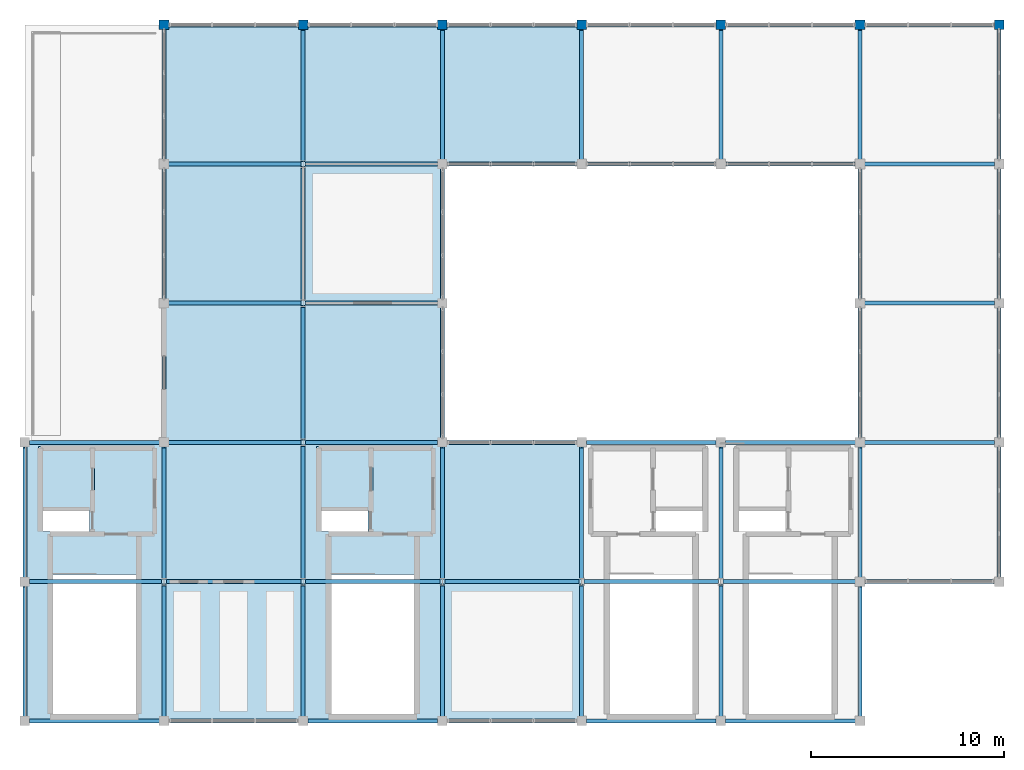
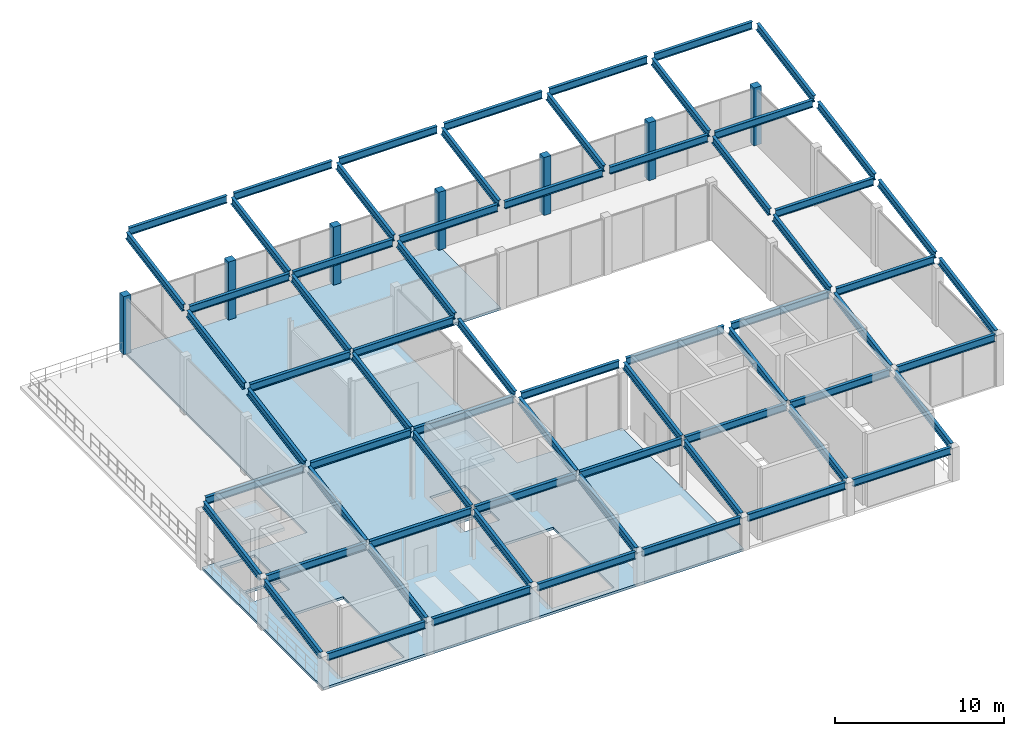
# One storey, part 3 of 16: 67 beams, 7 columns, 3 slabs.
"""IFC4 building model written with IfcOpenShell, lengths in metres."""

from ifc_helpers import new_model, si_unit, direction, frame, origin, origin_2d, place, context, subcontext, project, spatial, polyline, rectangle, i_section, outline, extrude, material, layer, layer_set, material_profile, profile_set, type_object, element, save


model = new_model("IFC4")

# Units and contexts
model_context = context("Model", 3, precision=1e-05, world=origin(), true_north=direction((0.0, 1.0)))
body_context = subcontext(model_context, "Body", "Model", "MODEL_VIEW")
ifc_project = project(units=[si_unit("LENGTHUNIT", "METRE"), si_unit("AREAUNIT", "SQUARE_METRE"), si_unit("VOLUMEUNIT", "CUBIC_METRE"), si_unit("PLANEANGLEUNIT", "RADIAN"), si_unit("MASSUNIT", "GRAM", prefix="KILO")], contexts=[model_context])

# Site, building, storey
site_placement = place(None, origin())
site = spatial("IfcSite", under=ifc_project, at=site_placement, CompositionType="ELEMENT")
building_placement = place(site_placement, origin())
building = spatial("IfcBuilding", under=site, at=building_placement, Name="Sillqori Civic Hall", CompositionType="ELEMENT")
storey_placement = place(building_placement, frame((0.0, 0.0, 25.800048828125)))
storey = spatial("IfcBuildingStorey", under=building, at=storey_placement, Name="L07", CompositionType="ELEMENT", Elevation=25.800048828125)

# Columns
ifc_material_1 = material(Name="Concrete C35/45 (H35)", Category="concrete")
ifc_material_profile_1 = material_profile(ifc_material_1, rectangle(XDim=0.5, YDim=0.5, at=origin_2d()), Name="RC 500x500")
ifc_profile_set_1 = profile_set([ifc_material_profile_1], Name="Concrete C35/45 (H35)")
column_type = type_object("IfcColumnType", Name="COL-RC500", PredefinedType="COLUMN", material=ifc_profile_set_1)
for number, where, z_axis, x_axis, name in (
    (1, (57.60009765625, 115.199951171875, 0.0), (0.0, 0.0, 1.0), (1.0, 0.0, 0.0), "L07 column 8-16"),
    (2, (64.800048828125, 115.199951171875, 0.0), (0.0, 0.0, 1.0), (1.0, 0.0, 0.0), "L07 column 9-16"),
    (3, (72.0, 115.199951171875, 0.0), (0.0, 0.0, 1.0), (1.0, 0.0, 0.0), "L07 column 10-16"),
    (4, (79.199951171875, 115.199951171875, 0.0), (0.0, 0.0, 1.0), (1.0, 0.0, 0.0), "L07 column 11-16"),
    (5, (86.39990234375, 115.199951171875, 0.0), (0.0, 0.0, 1.0), (1.0, 0.0, 0.0), "L07 column 12-16"),
    (6, (93.60009765625, 115.199951171875, 0.0), (0.0, 0.0, 1.0), (1.0, 0.0, 0.0), "L07 column 13-16"),
    (7, (100.800048828125, 115.199951171875, 0.0), (0.0, 0.0, 1.0), (1.0, 0.0, 0.0), "L07 column 14-16"),
):
    element("IfcColumn", number, at=place(storey_placement, frame(where, z_axis=z_axis, x_axis=x_axis)), inside=storey, type_object=column_type, Name=name, PredefinedType="COLUMN", context=body_context, shape_type="SweptSolid", body=[
        extrude(rectangle(XDim=0.5, YDim=0.5, at=origin_2d()), origin(), (0.0, 0.0, 1.0), 4.199951171875),
    ])

# Beams
ifc_material_2 = material(Name="Steel ASTM A992", Category="steel")
ifc_material_profile_2 = material_profile(ifc_material_2, i_section(OverallWidth=0.2099609375, OverallDepth=0.532958984375, WebThickness=0.01025390625, FlangeThickness=0.015625, FilletRadius=0.013916015625, at=origin_2d()), Name="W21X62")
ifc_profile_set_2 = profile_set([ifc_material_profile_2], Name="Steel ASTM A992")
beam_type = type_object("IfcBeamType", Name="BM-W21X62", PredefinedType="BEAM", material=ifc_profile_set_2)
beam_1_placement = place(storey_placement, frame((50.64404296875, 79.199951171875, 2.17431640625), z_axis=(1.0, 0.0, 0.0), x_axis=(0.0, 1.0, 0.0)))
element("IfcBeam", 8, at=beam_1_placement, inside=storey, type_object=beam_type, Name="L07 observatory roof girder X 7-11", PredefinedType="BEAM", context=body_context, shape_type="SweptSolid", body=[
    extrude(i_section(OverallWidth=0.2099609375, OverallDepth=0.532958984375, WebThickness=0.01025390625, FlangeThickness=0.015625, FilletRadius=0.013916015625, at=origin_2d()), origin(), (0.0, 0.0, 1.0), 6.7119140625),
])
beam_2_placement = place(storey_placement, frame((50.64404296875, 86.39990234375, 3.47021484375), z_axis=(1.0, 0.0, 0.0), x_axis=(0.0, 1.0, 0.0)))
element("IfcBeam", 9, at=beam_2_placement, inside=storey, type_object=beam_type, Name="L07 observatory roof girder X 7-12", PredefinedType="BEAM", context=body_context, shape_type="SweptSolid", body=[
    extrude(i_section(OverallWidth=0.2099609375, OverallDepth=0.532958984375, WebThickness=0.01025390625, FlangeThickness=0.015625, FilletRadius=0.013916015625, at=origin_2d()), origin(), (0.0, 0.0, 1.0), 6.83349609375),
])
for number, where, z_axis, x_axis, name in (
    (10, (50.64404296875, 93.60009765625, 4.766357421875), (1.0, 0.0, 0.0), (0.0, 1.0, 0.0), "L07 observatory roof girder X 7-13"),
    (11, (57.843994140625, 79.199951171875, 2.17431640625), (1.0, 0.0, 0.0), (0.0, 1.0, 0.0), "L07 observatory roof girder X 8-11"),
):
    element("IfcBeam", number, at=place(storey_placement, frame(where, z_axis=z_axis, x_axis=x_axis)), inside=storey, type_object=beam_type, Name=name, PredefinedType="BEAM", context=body_context, shape_type="SweptSolid", body=[
        extrude(i_section(OverallWidth=0.2099609375, OverallDepth=0.532958984375, WebThickness=0.01025390625, FlangeThickness=0.015625, FilletRadius=0.013916015625, at=origin_2d()), origin(), (0.0, 0.0, 1.0), 6.7119140625),
    ])
beam_3_placement = place(storey_placement, frame((57.722412109375, 86.39990234375, 3.47021484375), z_axis=(1.0, 0.0, 0.0), x_axis=(0.0, 1.0, 0.0)))
element("IfcBeam", 12, at=beam_3_placement, inside=storey, type_object=beam_type, Name="L07 observatory roof girder X 8-12", PredefinedType="BEAM", context=body_context, shape_type="SweptSolid", body=[
    extrude(i_section(OverallWidth=0.2099609375, OverallDepth=0.532958984375, WebThickness=0.01025390625, FlangeThickness=0.015625, FilletRadius=0.013916015625, at=origin_2d()), origin(), (0.0, 0.0, 1.0), 6.955078125),
])
for number, where, z_axis, x_axis, name in (
    (13, (57.843994140625, 93.60009765625, 4.766357421875), (1.0, 0.0, 0.0), (0.0, 1.0, 0.0), "L07 observatory roof girder X 8-13"),
    (14, (57.843994140625, 100.800048828125, 6.062255859375), (1.0, 0.0, 0.0), (0.0, 1.0, 0.0), "L07 observatory roof girder X 8-14"),
    (15, (57.843994140625, 108.0, 7.358154296875), (1.0, 0.0, 0.0), (0.0, 1.0, 0.0), "L07 observatory roof girder X 8-15"),
):
    element("IfcBeam", number, at=place(storey_placement, frame(where, z_axis=z_axis, x_axis=x_axis)), inside=storey, type_object=beam_type, Name=name, PredefinedType="BEAM", context=body_context, shape_type="SweptSolid", body=[
        extrude(i_section(OverallWidth=0.2099609375, OverallDepth=0.532958984375, WebThickness=0.01025390625, FlangeThickness=0.015625, FilletRadius=0.013916015625, at=origin_2d()), origin(), (0.0, 0.0, 1.0), 6.83349609375),
    ])
beam_4_placement = place(storey_placement, frame((57.843994140625, 115.199951171875, 8.654296875), z_axis=(1.0, 0.0, 0.0), x_axis=(0.0, 1.0, 0.0)))
element("IfcBeam", 16, at=beam_4_placement, inside=storey, type_object=beam_type, Name="L07 observatory roof girder X 8-16", PredefinedType="BEAM", context=body_context, shape_type="SweptSolid", body=[
    extrude(i_section(OverallWidth=0.2099609375, OverallDepth=0.532958984375, WebThickness=0.01025390625, FlangeThickness=0.015625, FilletRadius=0.013916015625, at=origin_2d()), origin(), (0.0, 0.0, 1.0), 6.7119140625),
])
beam_5_placement = place(storey_placement, frame((65.0439453125, 79.199951171875, 2.17431640625), z_axis=(1.0, 0.0, 0.0), x_axis=(0.0, 1.0, 0.0)))
element("IfcBeam", 17, at=beam_5_placement, inside=storey, type_object=beam_type, Name="L07 observatory roof girder X 9-11", PredefinedType="BEAM", context=body_context, shape_type="SweptSolid", body=[
    extrude(i_section(OverallWidth=0.2099609375, OverallDepth=0.532958984375, WebThickness=0.01025390625, FlangeThickness=0.015625, FilletRadius=0.013916015625, at=origin_2d()), origin(), (0.0, 0.0, 1.0), 6.712158203125),
])
beam_6_placement = place(storey_placement, frame((64.922607421875, 86.39990234375, 3.47021484375), z_axis=(1.0, 0.0, 0.0), x_axis=(0.0, 1.0, 0.0)))
element("IfcBeam", 18, at=beam_6_placement, inside=storey, type_object=beam_type, Name="L07 observatory roof girder X 9-12", PredefinedType="BEAM", context=body_context, shape_type="SweptSolid", body=[
    extrude(i_section(OverallWidth=0.2099609375, OverallDepth=0.532958984375, WebThickness=0.01025390625, FlangeThickness=0.015625, FilletRadius=0.013916015625, at=origin_2d()), origin(), (0.0, 0.0, 1.0), 6.954833984375),
])
for number, where, z_axis, x_axis, name in (
    (19, (64.922607421875, 93.60009765625, 4.766357421875), (1.0, 0.0, 0.0), (0.0, 1.0, 0.0), "L07 observatory roof girder X 9-13"),
    (20, (64.922607421875, 100.800048828125, 6.062255859375), (1.0, 0.0, 0.0), (0.0, 1.0, 0.0), "L07 observatory roof girder X 9-14"),
    (21, (64.922607421875, 108.0, 7.358154296875), (1.0, 0.0, 0.0), (0.0, 1.0, 0.0), "L07 observatory roof girder X 9-15"),
):
    element("IfcBeam", number, at=place(storey_placement, frame(where, z_axis=z_axis, x_axis=x_axis)), inside=storey, type_object=beam_type, Name=name, PredefinedType="BEAM", context=body_context, shape_type="SweptSolid", body=[
        extrude(i_section(OverallWidth=0.2099609375, OverallDepth=0.532958984375, WebThickness=0.01025390625, FlangeThickness=0.015625, FilletRadius=0.013916015625, at=origin_2d()), origin(), (0.0, 0.0, 1.0), 6.83349609375),
    ])
for number, where, z_axis, x_axis, name in (
    (22, (65.0439453125, 115.199951171875, 8.654296875), (1.0, 0.0, 0.0), (0.0, 1.0, 0.0), "L07 observatory roof girder X 9-16"),
    (23, (72.243896484375, 79.199951171875, 2.17431640625), (1.0, 0.0, 0.0), (0.0, 1.0, 0.0), "L07 observatory roof girder X 10-11"),
):
    element("IfcBeam", number, at=place(storey_placement, frame(where, z_axis=z_axis, x_axis=x_axis)), inside=storey, type_object=beam_type, Name=name, PredefinedType="BEAM", context=body_context, shape_type="SweptSolid", body=[
        extrude(i_section(OverallWidth=0.2099609375, OverallDepth=0.532958984375, WebThickness=0.01025390625, FlangeThickness=0.015625, FilletRadius=0.013916015625, at=origin_2d()), origin(), (0.0, 0.0, 1.0), 6.712158203125),
    ])
beam_7_placement = place(storey_placement, frame((72.12255859375, 86.39990234375, 3.47021484375), z_axis=(1.0, 0.0, 0.0), x_axis=(0.0, 1.0, 0.0)))
element("IfcBeam", 24, at=beam_7_placement, inside=storey, type_object=beam_type, Name="L07 observatory roof girder X 10-12", PredefinedType="BEAM", context=body_context, shape_type="SweptSolid", body=[
    extrude(i_section(OverallWidth=0.2099609375, OverallDepth=0.532958984375, WebThickness=0.01025390625, FlangeThickness=0.015625, FilletRadius=0.013916015625, at=origin_2d()), origin(), (0.0, 0.0, 1.0), 6.954833984375),
])
for number, where, z_axis, x_axis, name in (
    (25, (72.243896484375, 93.60009765625, 4.766357421875), (1.0, 0.0, 0.0), (0.0, 1.0, 0.0), "L07 observatory roof girder X 10-13"),
    (26, (72.243896484375, 108.0, 7.358154296875), (1.0, 0.0, 0.0), (0.0, 1.0, 0.0), "L07 observatory roof girder X 10-15"),
    (27, (72.243896484375, 115.199951171875, 8.654296875), (1.0, 0.0, 0.0), (0.0, 1.0, 0.0), "L07 observatory roof girder X 10-16"),
):
    element("IfcBeam", number, at=place(storey_placement, frame(where, z_axis=z_axis, x_axis=x_axis)), inside=storey, type_object=beam_type, Name=name, PredefinedType="BEAM", context=body_context, shape_type="SweptSolid", body=[
        extrude(i_section(OverallWidth=0.2099609375, OverallDepth=0.532958984375, WebThickness=0.01025390625, FlangeThickness=0.015625, FilletRadius=0.013916015625, at=origin_2d()), origin(), (0.0, 0.0, 1.0), 6.712158203125),
    ])
beam_8_placement = place(storey_placement, frame((79.444091796875, 79.199951171875, 2.17431640625), z_axis=(1.0, 0.0, 0.0), x_axis=(0.0, 1.0, 0.0)))
element("IfcBeam", 28, at=beam_8_placement, inside=storey, type_object=beam_type, Name="L07 observatory roof girder X 11-11", PredefinedType="BEAM", context=body_context, shape_type="SweptSolid", body=[
    extrude(i_section(OverallWidth=0.2099609375, OverallDepth=0.532958984375, WebThickness=0.01025390625, FlangeThickness=0.015625, FilletRadius=0.013916015625, at=origin_2d()), origin(), (0.0, 0.0, 1.0), 6.7119140625),
])
beam_9_placement = place(storey_placement, frame((79.322509765625, 86.39990234375, 3.47021484375), z_axis=(1.0, 0.0, 0.0), x_axis=(0.0, 1.0, 0.0)))
element("IfcBeam", 29, at=beam_9_placement, inside=storey, type_object=beam_type, Name="L07 observatory roof girder X 11-12", PredefinedType="BEAM", context=body_context, shape_type="SweptSolid", body=[
    extrude(i_section(OverallWidth=0.2099609375, OverallDepth=0.532958984375, WebThickness=0.01025390625, FlangeThickness=0.015625, FilletRadius=0.013916015625, at=origin_2d()), origin(), (0.0, 0.0, 1.0), 6.955078125),
])
for number, where, z_axis, x_axis, name in (
    (30, (79.444091796875, 93.60009765625, 4.766357421875), (1.0, 0.0, 0.0), (0.0, 1.0, 0.0), "L07 observatory roof girder X 11-13"),
    (31, (79.444091796875, 108.0, 7.358154296875), (1.0, 0.0, 0.0), (0.0, 1.0, 0.0), "L07 observatory roof girder X 11-15"),
    (32, (79.444091796875, 115.199951171875, 8.654296875), (1.0, 0.0, 0.0), (0.0, 1.0, 0.0), "L07 observatory roof girder X 11-16"),
    (33, (86.64404296875, 79.199951171875, 2.17431640625), (1.0, 0.0, 0.0), (0.0, 1.0, 0.0), "L07 observatory roof girder X 12-11"),
):
    element("IfcBeam", number, at=place(storey_placement, frame(where, z_axis=z_axis, x_axis=x_axis)), inside=storey, type_object=beam_type, Name=name, PredefinedType="BEAM", context=body_context, shape_type="SweptSolid", body=[
        extrude(i_section(OverallWidth=0.2099609375, OverallDepth=0.532958984375, WebThickness=0.01025390625, FlangeThickness=0.015625, FilletRadius=0.013916015625, at=origin_2d()), origin(), (0.0, 0.0, 1.0), 6.7119140625),
    ])
beam_10_placement = place(storey_placement, frame((86.5224609375, 86.39990234375, 3.47021484375), z_axis=(1.0, 0.0, 0.0), x_axis=(0.0, 1.0, 0.0)))
element("IfcBeam", 34, at=beam_10_placement, inside=storey, type_object=beam_type, Name="L07 observatory roof girder X 12-12", PredefinedType="BEAM", context=body_context, shape_type="SweptSolid", body=[
    extrude(i_section(OverallWidth=0.2099609375, OverallDepth=0.532958984375, WebThickness=0.01025390625, FlangeThickness=0.015625, FilletRadius=0.013916015625, at=origin_2d()), origin(), (0.0, 0.0, 1.0), 6.83349609375),
])
for number, where, z_axis, x_axis, name in (
    (35, (86.64404296875, 93.60009765625, 4.766357421875), (1.0, 0.0, 0.0), (0.0, 1.0, 0.0), "L07 observatory roof girder X 12-13"),
    (36, (86.64404296875, 108.0, 7.358154296875), (1.0, 0.0, 0.0), (0.0, 1.0, 0.0), "L07 observatory roof girder X 12-15"),
    (37, (86.64404296875, 115.199951171875, 8.654296875), (1.0, 0.0, 0.0), (0.0, 1.0, 0.0), "L07 observatory roof girder X 12-16"),
    (38, (93.843994140625, 86.39990234375, 3.47021484375), (1.0, 0.0, 0.0), (0.0, 1.0, 0.0), "L07 observatory roof girder X 13-12"),
    (39, (93.843994140625, 93.60009765625, 4.766357421875), (1.0, 0.0, 0.0), (0.0, 1.0, 0.0), "L07 observatory roof girder X 13-13"),
    (40, (93.843994140625, 100.800048828125, 6.062255859375), (1.0, 0.0, 0.0), (0.0, 1.0, 0.0), "L07 observatory roof girder X 13-14"),
    (41, (93.843994140625, 108.0, 7.358154296875), (1.0, 0.0, 0.0), (0.0, 1.0, 0.0), "L07 observatory roof girder X 13-15"),
    (42, (93.843994140625, 115.199951171875, 8.654296875), (1.0, 0.0, 0.0), (0.0, 1.0, 0.0), "L07 observatory roof girder X 13-16"),
):
    element("IfcBeam", number, at=place(storey_placement, frame(where, z_axis=z_axis, x_axis=x_axis)), inside=storey, type_object=beam_type, Name=name, PredefinedType="BEAM", context=body_context, shape_type="SweptSolid", body=[
        extrude(i_section(OverallWidth=0.2099609375, OverallDepth=0.532958984375, WebThickness=0.01025390625, FlangeThickness=0.015625, FilletRadius=0.013916015625, at=origin_2d()), origin(), (0.0, 0.0, 1.0), 6.7119140625),
    ])
for number, where, z_axis, x_axis, name in (
    (43, (50.39990234375, 79.444091796875, 2.21826171875), (0.0, 0.984186819076, 0.177133579979), (-1.0, 0.0, 0.0), "L07 observatory inclined rafter Y 7-11"),
    (44, (50.39990234375, 86.64404296875, 3.51416015625), (0.0, 0.98418057757, 0.177168255434), (-1.0, 0.0, 0.0), "L07 observatory inclined rafter Y 7-12"),
):
    element("IfcBeam", number, at=place(storey_placement, frame(where, z_axis=z_axis, x_axis=x_axis)), inside=storey, type_object=beam_type, Name=name, PredefinedType="BEAM", context=body_context, shape_type="SweptSolid", body=[
        extrude(i_section(OverallWidth=0.2099609375, OverallDepth=0.532958984375, WebThickness=0.01025390625, FlangeThickness=0.015625, FilletRadius=0.013916015625, at=origin_2d()), origin(), (0.0, 0.0, 1.0), 6.81982421875),
    ])
for number, where, z_axis, x_axis, name in (
    (45, (57.60009765625, 79.444091796875, 2.21826171875), (0.0, 0.984184188942, 0.177148192868), (-1.0, 0.0, 0.0), "L07 observatory inclined rafter Y 8-11"),
    (46, (57.60009765625, 86.575439453125, 3.501953125), (0.0, 0.984184188942, 0.177148192868), (-1.0, 0.0, 0.0), "L07 observatory inclined rafter Y 8-12"),
):
    element("IfcBeam", number, at=place(storey_placement, frame(where, z_axis=z_axis, x_axis=x_axis)), inside=storey, type_object=beam_type, Name=name, PredefinedType="BEAM", context=body_context, shape_type="SweptSolid", body=[
        extrude(i_section(OverallWidth=0.2099609375, OverallDepth=0.532958984375, WebThickness=0.01025390625, FlangeThickness=0.015625, FilletRadius=0.013916015625, at=origin_2d()), origin(), (0.0, 0.0, 1.0), 6.889404296875),
    ])
beam_11_placement = place(storey_placement, frame((57.60009765625, 93.843994140625, 4.81005859375), z_axis=(0.0, 0.98418057757, 0.177168255434), x_axis=(-1.0, 0.0, 0.0)))
element("IfcBeam", 47, at=beam_11_placement, inside=storey, type_object=beam_type, Name="L07 observatory inclined rafter Y 8-13", PredefinedType="BEAM", context=body_context, shape_type="SweptSolid", body=[
    extrude(i_section(OverallWidth=0.2099609375, OverallDepth=0.532958984375, WebThickness=0.01025390625, FlangeThickness=0.015625, FilletRadius=0.013916015625, at=origin_2d()), origin(), (0.0, 0.0, 1.0), 6.81982421875),
])
for number, where, z_axis, x_axis, name in (
    (48, (57.60009765625, 101.0439453125, 6.106201171875), (0.0, 0.984181701185, 0.177162013573), (-1.0, 0.0, 0.0), "L07 observatory inclined rafter Y 8-14"),
    (49, (57.60009765625, 108.243896484375, 7.402099609375), (0.0, 0.984181701185, 0.177162013573), (-1.0, 0.0, 0.0), "L07 observatory inclined rafter Y 8-15"),
):
    element("IfcBeam", number, at=place(storey_placement, frame(where, z_axis=z_axis, x_axis=x_axis)), inside=storey, type_object=beam_type, Name=name, PredefinedType="BEAM", context=body_context, shape_type="SweptSolid", body=[
        extrude(i_section(OverallWidth=0.2099609375, OverallDepth=0.532958984375, WebThickness=0.01025390625, FlangeThickness=0.015625, FilletRadius=0.013916015625, at=origin_2d()), origin(), (0.0, 0.0, 1.0), 6.820068359375),
    ])
beam_12_placement = place(storey_placement, frame((64.800048828125, 79.444091796875, 2.21826171875), z_axis=(0.0, 0.984184188942, 0.177148192868), x_axis=(-1.0, 0.0, 0.0)))
element("IfcBeam", 50, at=beam_12_placement, inside=storey, type_object=beam_type, Name="L07 observatory inclined rafter Y 9-11", PredefinedType="BEAM", context=body_context, shape_type="SweptSolid", body=[
    extrude(i_section(OverallWidth=0.2099609375, OverallDepth=0.532958984375, WebThickness=0.01025390625, FlangeThickness=0.015625, FilletRadius=0.013916015625, at=origin_2d()), origin(), (0.0, 0.0, 1.0), 6.889404296875),
])
for number, where, z_axis, x_axis, name in (
    (51, (64.800048828125, 86.575439453125, 3.501953125), (0.0, 0.984187727597, 0.177128531997), (-1.0, 0.0, 0.0), "L07 observatory inclined rafter Y 9-12"),
    (52, (64.800048828125, 93.775390625, 4.7978515625), (0.0, 0.9841816113, 0.177162512906), (-1.0, 0.0, 0.0), "L07 observatory inclined rafter Y 9-13"),
):
    element("IfcBeam", number, at=place(storey_placement, frame(where, z_axis=z_axis, x_axis=x_axis)), inside=storey, type_object=beam_type, Name=name, PredefinedType="BEAM", context=body_context, shape_type="SweptSolid", body=[
        extrude(i_section(OverallWidth=0.2099609375, OverallDepth=0.532958984375, WebThickness=0.01025390625, FlangeThickness=0.015625, FilletRadius=0.013916015625, at=origin_2d()), origin(), (0.0, 0.0, 1.0), 6.959228515625),
    ])
beam_13_placement = place(storey_placement, frame((64.800048828125, 100.9755859375, 6.09375), z_axis=(0.0, 0.98418051015, 0.17716862996), x_axis=(-1.0, 0.0, 0.0)))
element("IfcBeam", 53, at=beam_13_placement, inside=storey, type_object=beam_type, Name="L07 observatory inclined rafter Y 9-14", PredefinedType="BEAM", context=body_context, shape_type="SweptSolid", body=[
    extrude(i_section(OverallWidth=0.2099609375, OverallDepth=0.532958984375, WebThickness=0.01025390625, FlangeThickness=0.015625, FilletRadius=0.013916015625, at=origin_2d()), origin(), (0.0, 0.0, 1.0), 6.958984375),
])
for number, where, z_axis, x_axis, name in (
    (54, (64.800048828125, 108.175537109375, 7.389892578125), (0.0, 0.984184188942, 0.177148192868), (-1.0, 0.0, 0.0), "L07 observatory inclined rafter Y 9-15"),
    (55, (72.0, 79.444091796875, 2.21826171875), (0.0, 0.984184188942, 0.177148192868), (-1.0, 0.0, 0.0), "L07 observatory inclined rafter Y 10-11"),
    (56, (72.0, 86.575439453125, 3.501953125), (0.0, 0.984184188942, 0.177148192868), (-1.0, 0.0, 0.0), "L07 observatory inclined rafter Y 10-12"),
):
    element("IfcBeam", number, at=place(storey_placement, frame(where, z_axis=z_axis, x_axis=x_axis)), inside=storey, type_object=beam_type, Name=name, PredefinedType="BEAM", context=body_context, shape_type="SweptSolid", body=[
        extrude(i_section(OverallWidth=0.2099609375, OverallDepth=0.532958984375, WebThickness=0.01025390625, FlangeThickness=0.015625, FilletRadius=0.013916015625, at=origin_2d()), origin(), (0.0, 0.0, 1.0), 6.889404296875),
    ])
beam_14_placement = place(storey_placement, frame((72.0, 93.843994140625, 4.81005859375), z_axis=(0.0, 0.98418057757, 0.177168255434), x_axis=(-1.0, 0.0, 0.0)))
element("IfcBeam", 57, at=beam_14_placement, inside=storey, type_object=beam_type, Name="L07 observatory inclined rafter Y 10-13", PredefinedType="BEAM", context=body_context, shape_type="SweptSolid", body=[
    extrude(i_section(OverallWidth=0.2099609375, OverallDepth=0.532958984375, WebThickness=0.01025390625, FlangeThickness=0.015625, FilletRadius=0.013916015625, at=origin_2d()), origin(), (0.0, 0.0, 1.0), 6.81982421875),
])
for number, where, z_axis, x_axis, name in (
    (58, (72.0, 101.0439453125, 6.106201171875), (0.0, 0.984181701185, 0.177162013573), (-1.0, 0.0, 0.0), "L07 observatory inclined rafter Y 10-14"),
    (59, (72.0, 108.243896484375, 7.402099609375), (0.0, 0.984181701185, 0.177162013573), (-1.0, 0.0, 0.0), "L07 observatory inclined rafter Y 10-15"),
):
    element("IfcBeam", number, at=place(storey_placement, frame(where, z_axis=z_axis, x_axis=x_axis)), inside=storey, type_object=beam_type, Name=name, PredefinedType="BEAM", context=body_context, shape_type="SweptSolid", body=[
        extrude(i_section(OverallWidth=0.2099609375, OverallDepth=0.532958984375, WebThickness=0.01025390625, FlangeThickness=0.015625, FilletRadius=0.013916015625, at=origin_2d()), origin(), (0.0, 0.0, 1.0), 6.820068359375),
    ])
for number, where, z_axis, x_axis, name in (
    (60, (79.199951171875, 79.444091796875, 2.21826171875), (0.0, 0.984184188942, 0.177148192868), (-1.0, 0.0, 0.0), "L07 observatory inclined rafter Y 11-11"),
    (61, (79.199951171875, 86.575439453125, 3.501953125), (0.0, 0.984184188942, 0.177148192868), (-1.0, 0.0, 0.0), "L07 observatory inclined rafter Y 11-12"),
):
    element("IfcBeam", number, at=place(storey_placement, frame(where, z_axis=z_axis, x_axis=x_axis)), inside=storey, type_object=beam_type, Name=name, PredefinedType="BEAM", context=body_context, shape_type="SweptSolid", body=[
        extrude(i_section(OverallWidth=0.2099609375, OverallDepth=0.532958984375, WebThickness=0.01025390625, FlangeThickness=0.015625, FilletRadius=0.013916015625, at=origin_2d()), origin(), (0.0, 0.0, 1.0), 6.889404296875),
    ])
beam_15_placement = place(storey_placement, frame((79.199951171875, 108.243896484375, 7.402099609375), z_axis=(0.0, 0.984181701185, 0.177162013573), x_axis=(-1.0, 0.0, 0.0)))
element("IfcBeam", 62, at=beam_15_placement, inside=storey, type_object=beam_type, Name="L07 observatory inclined rafter Y 11-15", PredefinedType="BEAM", context=body_context, shape_type="SweptSolid", body=[
    extrude(i_section(OverallWidth=0.2099609375, OverallDepth=0.532958984375, WebThickness=0.01025390625, FlangeThickness=0.015625, FilletRadius=0.013916015625, at=origin_2d()), origin(), (0.0, 0.0, 1.0), 6.820068359375),
])
for number, where, z_axis, x_axis, name in (
    (63, (86.39990234375, 79.444091796875, 2.21826171875), (0.0, 0.984184188942, 0.177148192868), (-1.0, 0.0, 0.0), "L07 observatory inclined rafter Y 12-11"),
    (64, (86.39990234375, 86.575439453125, 3.501953125), (0.0, 0.984184188942, 0.177148192868), (-1.0, 0.0, 0.0), "L07 observatory inclined rafter Y 12-12"),
):
    element("IfcBeam", number, at=place(storey_placement, frame(where, z_axis=z_axis, x_axis=x_axis)), inside=storey, type_object=beam_type, Name=name, PredefinedType="BEAM", context=body_context, shape_type="SweptSolid", body=[
        extrude(i_section(OverallWidth=0.2099609375, OverallDepth=0.532958984375, WebThickness=0.01025390625, FlangeThickness=0.015625, FilletRadius=0.013916015625, at=origin_2d()), origin(), (0.0, 0.0, 1.0), 6.889404296875),
    ])
beam_16_placement = place(storey_placement, frame((86.39990234375, 108.243896484375, 7.402099609375), z_axis=(0.0, 0.984181701185, 0.177162013573), x_axis=(-1.0, 0.0, 0.0)))
element("IfcBeam", 65, at=beam_16_placement, inside=storey, type_object=beam_type, Name="L07 observatory inclined rafter Y 12-15", PredefinedType="BEAM", context=body_context, shape_type="SweptSolid", body=[
    extrude(i_section(OverallWidth=0.2099609375, OverallDepth=0.532958984375, WebThickness=0.01025390625, FlangeThickness=0.015625, FilletRadius=0.013916015625, at=origin_2d()), origin(), (0.0, 0.0, 1.0), 6.820068359375),
])
for number, where, z_axis, x_axis, name in (
    (66, (93.60009765625, 79.444091796875, 2.21826171875), (0.0, 0.984186819076, 0.177133579979), (-1.0, 0.0, 0.0), "L07 observatory inclined rafter Y 13-11"),
    (67, (93.60009765625, 86.64404296875, 3.51416015625), (0.0, 0.98418057757, 0.177168255434), (-1.0, 0.0, 0.0), "L07 observatory inclined rafter Y 13-12"),
    (68, (93.60009765625, 93.843994140625, 4.81005859375), (0.0, 0.98418057757, 0.177168255434), (-1.0, 0.0, 0.0), "L07 observatory inclined rafter Y 13-13"),
):
    element("IfcBeam", number, at=place(storey_placement, frame(where, z_axis=z_axis, x_axis=x_axis)), inside=storey, type_object=beam_type, Name=name, PredefinedType="BEAM", context=body_context, shape_type="SweptSolid", body=[
        extrude(i_section(OverallWidth=0.2099609375, OverallDepth=0.532958984375, WebThickness=0.01025390625, FlangeThickness=0.015625, FilletRadius=0.013916015625, at=origin_2d()), origin(), (0.0, 0.0, 1.0), 6.81982421875),
    ])
for number, where, z_axis, x_axis, name in (
    (69, (93.60009765625, 101.0439453125, 6.106201171875), (0.0, 0.984181701185, 0.177162013573), (-1.0, 0.0, 0.0), "L07 observatory inclined rafter Y 13-14"),
    (70, (93.60009765625, 108.243896484375, 7.402099609375), (0.0, 0.984181701185, 0.177162013573), (-1.0, 0.0, 0.0), "L07 observatory inclined rafter Y 13-15"),
):
    element("IfcBeam", number, at=place(storey_placement, frame(where, z_axis=z_axis, x_axis=x_axis)), inside=storey, type_object=beam_type, Name=name, PredefinedType="BEAM", context=body_context, shape_type="SweptSolid", body=[
        extrude(i_section(OverallWidth=0.2099609375, OverallDepth=0.532958984375, WebThickness=0.01025390625, FlangeThickness=0.015625, FilletRadius=0.013916015625, at=origin_2d()), origin(), (0.0, 0.0, 1.0), 6.820068359375),
    ])
for number, where, z_axis, x_axis, name in (
    (71, (100.800048828125, 86.64404296875, 3.51416015625), (0.0, 0.98418057757, 0.177168255434), (-1.0, 0.0, 0.0), "L07 observatory inclined rafter Y 14-12"),
    (72, (100.800048828125, 93.843994140625, 4.81005859375), (0.0, 0.98418057757, 0.177168255434), (-1.0, 0.0, 0.0), "L07 observatory inclined rafter Y 14-13"),
):
    element("IfcBeam", number, at=place(storey_placement, frame(where, z_axis=z_axis, x_axis=x_axis)), inside=storey, type_object=beam_type, Name=name, PredefinedType="BEAM", context=body_context, shape_type="SweptSolid", body=[
        extrude(i_section(OverallWidth=0.2099609375, OverallDepth=0.532958984375, WebThickness=0.01025390625, FlangeThickness=0.015625, FilletRadius=0.013916015625, at=origin_2d()), origin(), (0.0, 0.0, 1.0), 6.81982421875),
    ])
for number, where, z_axis, x_axis, name in (
    (73, (100.800048828125, 101.0439453125, 6.106201171875), (0.0, 0.984181701185, 0.177162013573), (-1.0, 0.0, 0.0), "L07 observatory inclined rafter Y 14-14"),
    (74, (100.800048828125, 108.243896484375, 7.402099609375), (0.0, 0.984181701185, 0.177162013573), (-1.0, 0.0, 0.0), "L07 observatory inclined rafter Y 14-15"),
):
    element("IfcBeam", number, at=place(storey_placement, frame(where, z_axis=z_axis, x_axis=x_axis)), inside=storey, type_object=beam_type, Name=name, PredefinedType="BEAM", context=body_context, shape_type="SweptSolid", body=[
        extrude(i_section(OverallWidth=0.2099609375, OverallDepth=0.532958984375, WebThickness=0.01025390625, FlangeThickness=0.015625, FilletRadius=0.013916015625, at=origin_2d()), origin(), (0.0, 0.0, 1.0), 6.820068359375),
    ])

# Slabs
ifc_material_3 = material(Name="Concrete C30/37 (H30)", Category="concrete")
ifc_layer_1 = layer(ifc_material_3, 0.179931640625)
ifc_layer_set_1 = layer_set([ifc_layer_1], Name="Concrete C30/37 (H30)")
slab_type_1 = type_object("IfcSlabType", Name="SLB-FLR-180", PredefinedType="FLOOR", material=ifc_layer_set_1)
slab_1_placement = place(storey_placement, frame((0.0, 0.0, -0.179931640625)))
element("IfcSlab", 75, at=slab_1_placement, inside=storey, type_object=slab_type_1, Name="L07 V4 composite floor slab 1.1", PredefinedType="FLOOR", context=body_context, shape_type="SweptSolid", body=[
    extrude(outline(polyline([(57.60009765625, 93.60009765625), (57.60009765625, 100.800048828125), (57.60009765625, 108.0), (57.60009765625, 115.199951171875), (64.800048828125, 115.199951171875), (72.0, 115.199951171875), (79.199951171875, 115.199951171875), (79.199951171875, 108.0), (72.0, 108.0), (72.0, 100.800048828125), (72.0, 93.60009765625), (79.199951171875, 93.60009765625), (79.199951171875, 86.39990234375), (79.199951171875, 79.199951171875), (72.0, 79.199951171875), (64.800048828125, 79.199951171875), (57.60009765625, 79.199951171875), (50.39990234375, 79.199951171875), (50.39990234375, 86.39990234375), (50.39990234375, 93.60009765625), (57.60009765625, 93.60009765625)]), holes=[polyline([(51.860107421875, 86.77001953125), (51.860107421875, 79.550048828125), (56.139892578125, 79.550048828125), (56.139892578125, 86.77001953125), (51.860107421875, 86.77001953125)]), polyline([(70.5400390625, 86.77001953125), (66.260009765625, 86.77001953125), (66.260009765625, 79.550048828125), (70.5400390625, 79.550048828125), (70.5400390625, 86.77001953125)]), polyline([(53.75, 90.10009765625), (51.35009765625, 90.10009765625), (51.35009765625, 89.0), (53.75, 89.0), (53.75, 90.10009765625)]), polyline([(65.75, 90.10009765625), (65.75, 89.0), (68.14990234375, 89.0), (68.14990234375, 90.10009765625), (65.75, 90.10009765625)]), polyline([(53.75, 93.14990234375), (51.35009765625, 93.14990234375), (51.35009765625, 90.25), (53.75, 90.25), (53.75, 93.14990234375)]), polyline([(68.14990234375, 93.14990234375), (65.75, 93.14990234375), (65.75, 90.25), (68.14990234375, 90.25), (68.14990234375, 93.14990234375)])]), origin(), (0.0, 0.0, 1.0), 0.179931640625),
])
ifc_layer_2 = layer(ifc_material_1, 0.219970703125)
ifc_layer_set_2 = layer_set([ifc_layer_2], Name="Concrete C35/45 (H35)")
slab_type_2 = type_object("IfcSlabType", Name="SLB-OVR-220", PredefinedType="ROOF", material=ifc_layer_set_2)
slab_2_placement = place(storey_placement, frame((0.0, 0.0, 3.530029296875)))
element("IfcSlab", 76, at=slab_2_placement, inside=storey, type_object=slab_type_2, Name="Lift shaft overrun slab LF-03", PredefinedType="ROOF", context=body_context, shape_type="SweptSolid", body=[
    extrude(outline(polyline([(51.10009765625, 90.050048828125), (54.0, 90.050048828125), (54.0, 93.39990234375), (51.10009765625, 93.39990234375), (51.10009765625, 90.050048828125)])), origin(), (0.0, 0.0, 1.0), 0.219970703125),
])
slab_3_placement = place(storey_placement, frame((0.0, 0.0, 3.530029296875)))
element("IfcSlab", 77, at=slab_3_placement, inside=storey, type_object=slab_type_2, Name="Lift shaft overrun slab LF-01", PredefinedType="ROOF", context=body_context, shape_type="SweptSolid", body=[
    extrude(outline(polyline([(65.5, 90.050048828125), (68.39990234375, 90.050048828125), (68.39990234375, 93.39990234375), (65.5, 93.39990234375), (65.5, 90.050048828125)])), origin(), (0.0, 0.0, 1.0), 0.219970703125),
])

save(model, "model.ifc")
